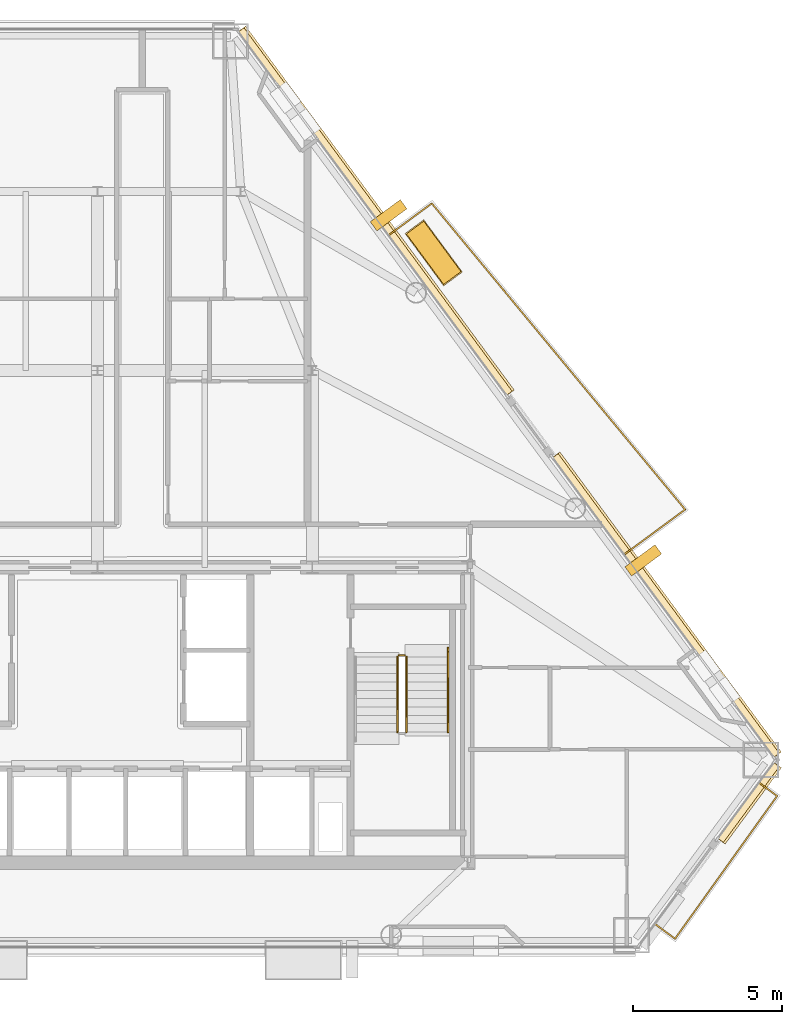
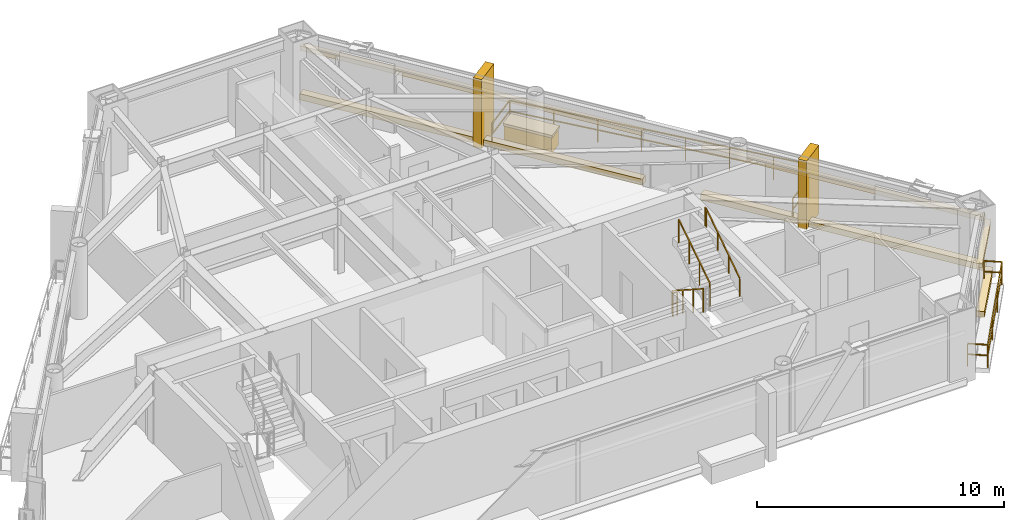
# One storey, part 11 of 11: 10 coverings, 6 railings.
"""IFC4 building model written with IfcOpenShell, lengths in metres."""

from ifc_helpers import new_model, si_unit, direction, frame, origin, origin_2d, place, context, subcontext, project, spatial, rectangle, extrude, material, layer, layer_set, type_object, element, save


model = new_model("IFC4")

# Units and contexts
model_context = context("Model", 3, precision=1e-05, world=origin(), true_north=direction((0.0, 1.0)))
body_context = subcontext(model_context, "Body", "Model", "MODEL_VIEW")
ifc_project = project(units=[si_unit("LENGTHUNIT", "METRE"), si_unit("AREAUNIT", "SQUARE_METRE"), si_unit("VOLUMEUNIT", "CUBIC_METRE"), si_unit("PLANEANGLEUNIT", "RADIAN"), si_unit("MASSUNIT", "GRAM", prefix="KILO")], contexts=[model_context])

# Site, building, storey
site_placement = place(None, origin())
site = spatial("IfcSite", under=ifc_project, at=site_placement, CompositionType="ELEMENT")
building_placement = place(site_placement, origin())
building = spatial("IfcBuilding", under=site, at=building_placement, Name="Talgorran Terracotta Tower", CompositionType="ELEMENT")
storey_placement = place(building_placement, frame((0.0, 0.0, 161.699951171875)))
storey = spatial("IfcBuildingStorey", under=building, at=storey_placement, Name="L42", CompositionType="ELEMENT", Elevation=161.699951171875)

# Coverings
ifc_material_1 = material(Name="Kiln-Fired Terracotta Ochre Ceramic", Category="masonry")
ifc_layer_1 = layer(ifc_material_1, 0.179931640625, Name="COV_BAGUETTE_TERRACOTTA_SCREEN")
ifc_layer_set_1 = layer_set([ifc_layer_1], Name="Kiln-Fired Terracotta Ochre Ceramic")
covering_type_1 = type_object("IfcCoveringType", Name="COV_BAGUETTE_TERRACOTTA_SCREEN", PredefinedType="CLADDING", material=ifc_layer_set_1)
covering_1_placement = place(storey_placement, frame((21.81005859375, -12.0712890625, 2.41015625), z_axis=(0.0, 0.0, 1.0), x_axis=(0.593784074712, 0.804624429544, 0.0)))
element("IfcCovering", 1, at=covering_1_placement, inside=storey, type_object=covering_type_1, Name="L42 Terracotta Baguette Solar Screen Assembly F31", PredefinedType="CLADDING", context=body_context, shape_type="SweptSolid", body=[
    extrude(rectangle(XDim=3.154052734375, YDim=0.260009765625, at=origin_2d()), origin(), (0.0, 0.0, 1.0), 0.219970703125),
])
covering_2_placement = place(storey_placement, frame((19.04150390625, -5.486328125, 2.41015625), z_axis=(0.0, 0.0, 1.0), x_axis=(-0.593784074712, 0.804624429544, 0.0)))
element("IfcCovering", 2, at=covering_2_placement, inside=storey, type_object=covering_type_1, Name="L42 Terracotta Baguette Solar Screen Assembly F40", PredefinedType="CLADDING", context=body_context, shape_type="SweptSolid", body=[
    extrude(rectangle(XDim=12.47900390625, YDim=0.260009765625, at=origin_2d()), origin(), (0.0, 0.0, 1.0), 0.219970703125),
])
covering_3_placement = place(storey_placement, frame((9.298828125, 7.7158203125, 2.41015625), z_axis=(0.0, 0.0, 1.0), x_axis=(-0.593784074712, 0.804624429544, 0.0)))
element("IfcCovering", 3, at=covering_3_placement, inside=storey, type_object=covering_type_1, Name="L42 Terracotta Baguette Solar Screen Assembly F41", PredefinedType="CLADDING", context=body_context, shape_type="SweptSolid", body=[
    extrude(rectangle(XDim=15.13671875, YDim=0.260009765625, at=origin_2d()), origin(), (0.0, 0.0, 1.0), 0.219970703125),
])
ifc_material_2 = material(Name="Honed Limestone and Terracotta Planter", Category="masonry")
ifc_layer_2 = layer(ifc_material_2, 0.1201171875, Name="COV_PLANTER_BOX")
ifc_layer_set_2 = layer_set([ifc_layer_2], Name="Honed Limestone and Terracotta Planter")
covering_type_2 = type_object("IfcCoveringType", Name="COV_PLANTER_BOX", PredefinedType="CLADDING", material=ifc_layer_set_2)
covering_4_placement = place(storey_placement, frame((11.26904296875, 6.342529296875, -0.02001953125), z_axis=(0.0, 0.0, 1.0), x_axis=(-0.593784074712, 0.804624429544, 0.0)))
element("IfcCovering", 4, at=covering_4_placement, inside=storey, type_object=covering_type_2, Name="L42 Staggered Balcony Planter Box BAL-NE", PredefinedType="CLADDING", context=body_context, shape_type="SweptSolid", body=[
    extrude(rectangle(XDim=2.10009765625, YDim=0.719970703125, at=origin_2d()), origin(), (0.0, 0.0, 1.0), 0.860107421875),
])
ifc_material_3 = material(Name="Kiln-Fired Terracotta Planter Rim", Category="masonry")
ifc_layer_3 = layer(ifc_material_3, 0.10009765625, Name="COV_PLANTER_RIM")
ifc_layer_set_3 = layer_set([ifc_layer_3], Name="Kiln-Fired Terracotta Planter Rim")
covering_type_3 = type_object("IfcCoveringType", Name="COV_PLANTER_RIM", PredefinedType="CLADDING", material=ifc_layer_set_3)
covering_5_placement = place(storey_placement, frame((11.26904296875, 6.342529296875, 0.800048828125), z_axis=(0.0, 0.0, 1.0), x_axis=(-0.593784074712, 0.804624429544, 0.0)))
element("IfcCovering", 5, at=covering_5_placement, inside=storey, type_object=covering_type_3, Name="L42 Balcony Planter Terracotta Rim BAL-NE", PredefinedType="CLADDING", context=body_context, shape_type="SweptSolid", body=[
    extrude(rectangle(XDim=2.179931640625, YDim=0.780029296875, at=origin_2d()), origin(), (0.0, 0.0, 1.0), 0.1201171875),
])
ifc_material_4 = material(Name="Honed Limestone Cladding", Category="masonry")
ifc_layer_4 = layer(ifc_material_4, 0.094970703125, Name="COV_PORTAL_LIME")
ifc_layer_set_4 = layer_set([ifc_layer_4], Name="Honed Limestone Cladding")
covering_type_4 = type_object("IfcCoveringType", Name="COV_PORTAL_LIME", PredefinedType="CLADDING", material=ifc_layer_set_4)
covering_6_placement = place(storey_placement, frame((21.842041015625, -12.09521484375, -0.0400390625), z_axis=(0.0, 0.0, 1.0), x_axis=(0.593784074712, 0.804624429544, 0.0)))
element("IfcCovering", 6, at=covering_6_placement, inside=storey, type_object=covering_type_4, Name="L42 Striped Postmodern Portal Cladding Band F31", PredefinedType="CLADDING", context=body_context, shape_type="SweptSolid", body=[
    extrude(rectangle(XDim=3.174072265625, YDim=0.340087890625, at=origin_2d()), origin(), (0.0, 0.0, 1.0), 0.300048828125),
])
covering_7_placement = place(storey_placement, frame((19.073486328125, -5.46240234375, -0.0400390625), z_axis=(0.0, 0.0, 1.0), x_axis=(-0.593784074712, 0.804624429544, 0.0)))
element("IfcCovering", 7, at=covering_7_placement, inside=storey, type_object=covering_type_4, Name="L42 Striped Postmodern Portal Cladding Band F40", PredefinedType="CLADDING", context=body_context, shape_type="SweptSolid", body=[
    extrude(rectangle(XDim=12.4990234375, YDim=0.340087890625, at=origin_2d()), origin(), (0.0, 0.0, 1.0), 0.300048828125),
])
covering_8_placement = place(storey_placement, frame((9.330810546875, 7.739501953125, -0.0400390625), z_axis=(0.0, 0.0, 1.0), x_axis=(-0.593784074712, 0.804624429544, 0.0)))
element("IfcCovering", 8, at=covering_8_placement, inside=storey, type_object=covering_type_4, Name="L42 Striped Postmodern Portal Cladding Band F41", PredefinedType="CLADDING", context=body_context, shape_type="SweptSolid", body=[
    extrude(rectangle(XDim=15.156494140625, YDim=0.340087890625, at=origin_2d()), origin(), (0.0, 0.0, 1.0), 0.300048828125),
])
covering_9_placement = place(storey_placement, frame((9.757568359375, 7.599365234375, -0.0498046875), z_axis=(0.0, 0.0, 1.0), x_axis=(-0.593784074712, 0.804624429544, 0.0)))
element("IfcCovering", 9, at=covering_9_placement, inside=storey, type_object=covering_type_4, Name="L42 White Striped Portal Fin F3-2", PredefinedType="CLADDING", context=body_context, shape_type="SweptSolid", body=[
    extrude(rectangle(XDim=0.3798828125, YDim=1.25, at=origin_2d()), origin(), (0.0, 0.0, 1.0), 3.39990234375),
])
ifc_material_5 = material(Name="Kiln-Fired Terracotta Cladding", Category="masonry")
ifc_layer_5 = layer(ifc_material_5, 0.090087890625, Name="COV_PORTAL_TERRA")
ifc_layer_set_5 = layer_set([ifc_layer_5], Name="Kiln-Fired Terracotta Cladding")
covering_type_5 = type_object("IfcCoveringType", Name="COV_PORTAL_TERRA", PredefinedType="CLADDING", material=ifc_layer_set_5)
covering_10_placement = place(storey_placement, frame((18.293212890625, -3.966796875, -0.0498046875), z_axis=(0.0, 0.0, 1.0), x_axis=(-0.593784074712, 0.804624429544, 0.0)))
element("IfcCovering", 10, at=covering_10_placement, inside=storey, type_object=covering_type_5, Name="L42 Terracotta Striped Portal Fin F3-1", PredefinedType="CLADDING", context=body_context, shape_type="SweptSolid", body=[
    extrude(rectangle(XDim=0.3798828125, YDim=1.25, at=origin_2d()), origin(), (0.0, 0.0, 1.0), 3.39990234375),
])

# Railings
ifc_material_6 = material(Name="Laminated Glass and Stainless Steel 316", Category="steel")
railing_type_1 = type_object("IfcRailingType", Name="RL_BALCONY_1150", PredefinedType="BALUSTRADE", material=ifc_material_6)
railing_1_placement = place(storey_placement, frame((17.66748046875, -3.759033203125, 0.0)))
element("IfcRailing", 11, at=railing_1_placement, inside=storey, type_object=railing_type_1, Name="RL-L42-BAL-BAL-NE", PredefinedType="BALUSTRADE", context=body_context, shape_type="SweptSolid", body=[
    extrude(rectangle(XDim=0.048095703125, YDim=0.048095703125, at=origin_2d()), frame((0.0, 0.0, 1.1259765625), z_axis=(0.80461263472, 0.5938000573, 0.0), x_axis=(-0.5938000573, 0.80461263472, 0.0)), (0.0, 0.0, 1.0), 2.521240234375),
    extrude(rectangle(XDim=0.048095703125, YDim=0.048095703125, at=origin_2d()), frame((0.0, 0.0, 0.597900390625), z_axis=(0.80461263472, 0.5938000573, 0.0), x_axis=(-0.5938000573, 0.80461263472, 0.0)), (0.0, 0.0, 1.0), 2.521240234375),
    extrude(rectangle(XDim=0.048095703125, YDim=0.048095703125, at=origin_2d()), frame((2.028564453125, 1.4970703125, 1.1259765625), z_axis=(-0.637604105574, 0.77036420254, 0.0), x_axis=(-0.77036420254, -0.637604105574, 0.0)), (0.0, 0.0, 1.0), 13.31787109375),
    extrude(rectangle(XDim=0.048095703125, YDim=0.048095703125, at=origin_2d()), frame((2.028564453125, 1.4970703125, 0.597900390625), z_axis=(-0.637604105574, 0.77036420254, 0.0), x_axis=(-0.77036420254, -0.637604105574, 0.0)), (0.0, 0.0, 1.0), 13.31787109375),
    extrude(rectangle(XDim=0.048095703125, YDim=0.048095703125, at=origin_2d()), frame((-6.462890625, 11.756591796875, 1.1259765625), z_axis=(-0.804631782985, -0.593774110088, 0.0), x_axis=(0.593774110088, -0.804631782985, 0.0)), (0.0, 0.0, 1.0), 1.78076171875),
    extrude(rectangle(XDim=0.048095703125, YDim=0.048095703125, at=origin_2d()), frame((-6.462890625, 11.756591796875, 0.597900390625), z_axis=(-0.804631782985, -0.593774110088, 0.0), x_axis=(0.593774110088, -0.804631782985, 0.0)), (0.0, 0.0, 1.0), 1.78076171875),
    extrude(rectangle(XDim=0.0419921875, YDim=0.0419921875, at=origin_2d()), origin(), (0.0, 0.0, 1.0), 1.101806640625),
    extrude(rectangle(XDim=0.0419921875, YDim=0.0419921875, at=origin_2d()), frame((1.01416015625, 0.74853515625, 0.0)), (0.0, 0.0, 1.0), 1.101806640625),
    extrude(rectangle(XDim=0.0419921875, YDim=0.0419921875, at=origin_2d()), frame((2.028564453125, 1.4970703125, 0.0)), (0.0, 0.0, 1.0), 1.101806640625),
    extrude(rectangle(XDim=0.0419921875, YDim=0.0419921875, at=origin_2d()), frame((0.8154296875, 2.962646484375, 0.0)), (0.0, 0.0, 1.0), 1.101806640625),
    extrude(rectangle(XDim=0.0419921875, YDim=0.0419921875, at=origin_2d()), frame((-0.3974609375, 4.428466796875, 0.0)), (0.0, 0.0, 1.0), 1.101806640625),
    extrude(rectangle(XDim=0.0419921875, YDim=0.0419921875, at=origin_2d()), frame((-1.610595703125, 5.89404296875, 0.0)), (0.0, 0.0, 1.0), 1.101806640625),
    extrude(rectangle(XDim=0.0419921875, YDim=0.0419921875, at=origin_2d()), frame((-2.82373046875, 7.359619140625, 0.0)), (0.0, 0.0, 1.0), 1.101806640625),
    extrude(rectangle(XDim=0.0419921875, YDim=0.0419921875, at=origin_2d()), frame((-4.036865234375, 8.8251953125, 0.0)), (0.0, 0.0, 1.0), 1.101806640625),
    extrude(rectangle(XDim=0.0419921875, YDim=0.0419921875, at=origin_2d()), frame((-5.249755859375, 10.291015625, 0.0)), (0.0, 0.0, 1.0), 1.101806640625),
    extrude(rectangle(XDim=0.0419921875, YDim=0.0419921875, at=origin_2d()), frame((-6.462890625, 11.756591796875, 0.0)), (0.0, 0.0, 1.0), 1.101806640625),
    extrude(rectangle(XDim=0.0419921875, YDim=0.0419921875, at=origin_2d()), frame((-7.895751953125, 10.69921875, 0.0)), (0.0, 0.0, 1.0), 1.101806640625),
])
railing_2_placement = place(storey_placement, frame((18.694091796875, -16.15869140625, 0.0)))
element("IfcRailing", 12, at=railing_2_placement, inside=storey, type_object=railing_type_1, Name="RL-L42-BAL-BAL-SE", PredefinedType="BALUSTRADE", context=body_context, shape_type="SweptSolid", body=[
    extrude(rectangle(XDim=0.048095703125, YDim=0.048095703125, at=origin_2d()), frame((0.0, 0.0, 1.1259765625), z_axis=(0.804668440832, -0.593724431306, 0.0), x_axis=(0.593724431306, 0.804668440832, 0.0)), (0.0, 0.0, 1.0), 0.823974609375),
    extrude(rectangle(XDim=0.048095703125, YDim=0.048095703125, at=origin_2d()), frame((0.0, 0.0, 0.597900390625), z_axis=(0.804668440832, -0.593724431306, 0.0), x_axis=(0.593724431306, 0.804668440832, 0.0)), (0.0, 0.0, 1.0), 0.823974609375),
    extrude(rectangle(XDim=0.048095703125, YDim=0.048095703125, at=origin_2d()), frame((0.6630859375, -0.4892578125, 1.1259765625), z_axis=(0.581619027021, 0.813461312791, 0.0), x_axis=(-0.813461312791, 0.581619027021, 0.0)), (0.0, 0.0, 1.0), 5.88134765625),
    extrude(rectangle(XDim=0.048095703125, YDim=0.048095703125, at=origin_2d()), frame((0.6630859375, -0.4892578125, 0.597900390625), z_axis=(0.581619027021, 0.813461312791, 0.0), x_axis=(-0.813461312791, 0.581619027021, 0.0)), (0.0, 0.0, 1.0), 5.88134765625),
    extrude(rectangle(XDim=0.048095703125, YDim=0.048095703125, at=origin_2d()), frame((4.083740234375, 4.294921875, 1.1259765625), z_axis=(-0.804596735462, 0.593821600553, 0.0), x_axis=(-0.593821600553, -0.804596735462, 0.0)), (0.0, 0.0, 1.0), 0.735595703125),
    extrude(rectangle(XDim=0.048095703125, YDim=0.048095703125, at=origin_2d()), frame((4.083740234375, 4.294921875, 0.597900390625), z_axis=(-0.804596735462, 0.593821600553, 0.0), x_axis=(-0.593821600553, -0.804596735462, 0.0)), (0.0, 0.0, 1.0), 0.735595703125),
    extrude(rectangle(XDim=0.0419921875, YDim=0.0419921875, at=origin_2d()), origin(), (0.0, 0.0, 1.0), 1.101806640625),
    extrude(rectangle(XDim=0.0419921875, YDim=0.0419921875, at=origin_2d()), frame((0.6630859375, -0.4892578125, 0.0)), (0.0, 0.0, 1.0), 1.101806640625),
    extrude(rectangle(XDim=0.0419921875, YDim=0.0419921875, at=origin_2d()), frame((1.80322265625, 1.10546875, 0.0)), (0.0, 0.0, 1.0), 1.101806640625),
    extrude(rectangle(XDim=0.0419921875, YDim=0.0419921875, at=origin_2d()), frame((2.943603515625, 2.7001953125, 0.0)), (0.0, 0.0, 1.0), 1.101806640625),
    extrude(rectangle(XDim=0.0419921875, YDim=0.0419921875, at=origin_2d()), frame((4.083740234375, 4.294921875, 0.0)), (0.0, 0.0, 1.0), 1.101806640625),
    extrude(rectangle(XDim=0.0419921875, YDim=0.0419921875, at=origin_2d()), frame((3.491943359375, 4.731689453125, 0.0)), (0.0, 0.0, 1.0), 1.101806640625),
])
ifc_material_7 = material(Name="Steel S355 (300PLUS)", Category="steel")
railing_type_2 = type_object("IfcRailingType", Name="RL_HANDRAIL_920", PredefinedType="HANDRAIL", material=ifc_material_7)
railing_3_placement = place(storey_placement, frame((11.75, -9.719970703125, 1.97998046875)))
element("IfcRailing", 13, at=railing_3_placement, inside=storey, type_object=railing_type_2, Name="L42 ST-02 stair handrail 2", PredefinedType="HANDRAIL", context=body_context, shape_type="SweptSolid", body=[
    extrude(rectangle(XDim=0.048095703125, YDim=0.048095703125, at=origin_2d()), frame((0.0, 0.0, 0.89599609375), z_axis=(0.0, 0.832038719335, 0.554717558338), x_axis=(-1.0, 0.0, 0.0)), (0.0, 0.0, 1.0), 3.244873046875),
    extrude(rectangle(XDim=0.048095703125, YDim=0.048095703125, at=origin_2d()), frame((0.0, 2.699951171875, 2.69580078125), z_axis=(0.0, 1.0, 0.0), x_axis=(-1.0, 0.0, 0.0)), (0.0, 0.0, 1.0), 0.1201171875),
    extrude(rectangle(XDim=0.0419921875, YDim=0.0419921875, at=origin_2d()), origin(), (0.0, 0.0, 1.0), 0.871826171875),
    extrude(rectangle(XDim=0.0419921875, YDim=0.0419921875, at=origin_2d()), frame((0.0, 0.89990234375, 0.60009765625)), (0.0, 0.0, 1.0), 0.871826171875),
    extrude(rectangle(XDim=0.0419921875, YDim=0.0419921875, at=origin_2d()), frame((0.0, 1.800048828125, 1.199951171875)), (0.0, 0.0, 1.0), 0.871826171875),
    extrude(rectangle(XDim=0.0419921875, YDim=0.0419921875, at=origin_2d()), frame((0.0, 2.699951171875, 1.800048828125)), (0.0, 0.0, 1.0), 0.871826171875),
    extrude(rectangle(XDim=0.0419921875, YDim=0.0419921875, at=origin_2d()), frame((0.0, 2.820068359375, 1.800048828125)), (0.0, 0.0, 1.0), 0.871826171875),
])
railing_type_3 = type_object("IfcRailingType", Name="RL_STAIR_GUARD", PredefinedType="GUARDRAIL", material=ifc_material_7)
railing_4_placement = place(storey_placement, frame((10.050048828125, -7.199951171875, 0.179931640625)))
element("IfcRailing", 14, at=railing_4_placement, inside=storey, type_object=railing_type_3, Name="L42 ST-02 stair guard 1", PredefinedType="GUARDRAIL", context=body_context, shape_type="SweptSolid", body=[
    extrude(rectangle(XDim=0.048095703125, YDim=0.048095703125, at=origin_2d()), frame((0.0, 0.0, 1.15576171875), z_axis=(0.0, -0.841162588446, 0.540782303519), x_axis=(1.0, 0.0, 0.0)), (0.0, 0.0, 1.0), 2.995849609375),
    extrude(rectangle(XDim=0.0419921875, YDim=0.0419921875, at=origin_2d()), origin(), (0.0, 0.0, 1.0), 1.1318359375),
    extrude(rectangle(XDim=0.0419921875, YDim=0.0419921875, at=origin_2d()), frame((0.0, -0.840087890625, 0.5400390625)), (0.0, 0.0, 1.0), 1.1318359375),
    extrude(rectangle(XDim=0.0419921875, YDim=0.0419921875, at=origin_2d()), frame((0.0, -1.679931640625, 1.080078125)), (0.0, 0.0, 1.0), 1.1318359375),
    extrude(rectangle(XDim=0.0419921875, YDim=0.0419921875, at=origin_2d()), frame((0.0, -2.52001953125, 1.6201171875)), (0.0, 0.0, 1.0), 1.1318359375),
])
railing_5_placement = place(storey_placement, frame((10.35009765625, -9.719970703125, 1.97998046875)))
element("IfcRailing", 15, at=railing_5_placement, inside=storey, type_object=railing_type_3, Name="L42 ST-02 stair guard 3", PredefinedType="GUARDRAIL", context=body_context, shape_type="SweptSolid", body=[
    extrude(rectangle(XDim=0.048095703125, YDim=0.048095703125, at=origin_2d()), frame((0.0, 0.0, 1.15576171875), z_axis=(0.0, 0.841162588446, 0.540782303519), x_axis=(-1.0, 0.0, 0.0)), (0.0, 0.0, 1.0), 2.995849609375),
    extrude(rectangle(XDim=0.0419921875, YDim=0.0419921875, at=origin_2d()), origin(), (0.0, 0.0, 1.0), 1.1318359375),
    extrude(rectangle(XDim=0.0419921875, YDim=0.0419921875, at=origin_2d()), frame((0.0, 0.840087890625, 0.5400390625)), (0.0, 0.0, 1.0), 1.1318359375),
    extrude(rectangle(XDim=0.0419921875, YDim=0.0419921875, at=origin_2d()), frame((0.0, 1.679931640625, 1.080078125)), (0.0, 0.0, 1.0), 1.1318359375),
    extrude(rectangle(XDim=0.0419921875, YDim=0.0419921875, at=origin_2d()), frame((0.0, 2.52001953125, 1.6201171875)), (0.0, 0.0, 1.0), 1.1318359375),
])
railing_6_placement = place(storey_placement, frame((10.10009765625, -7.14990234375, 0.0)))
element("IfcRailing", 16, at=railing_6_placement, inside=storey, type_object=railing_type_3, Name="L42 ST-02 stair guard 4", PredefinedType="GUARDRAIL", context=body_context, shape_type="SweptSolid", body=[
    extrude(rectangle(XDim=0.048095703125, YDim=0.048095703125, at=origin_2d()), frame((0.0, 0.0, 1.15576171875), z_axis=(1.0, 0.0, 0.0), x_axis=(0.0, 1.0, 0.0)), (0.0, 0.0, 1.0), 0.199951171875),
    extrude(rectangle(XDim=0.048095703125, YDim=0.048095703125, at=origin_2d()), frame((0.0, 0.0, 0.613525390625), z_axis=(1.0, 0.0, 0.0), x_axis=(0.0, 1.0, 0.0)), (0.0, 0.0, 1.0), 0.199951171875),
    extrude(rectangle(XDim=0.0419921875, YDim=0.0419921875, at=origin_2d()), origin(), (0.0, 0.0, 1.0), 1.1318359375),
    extrude(rectangle(XDim=0.0419921875, YDim=0.0419921875, at=origin_2d()), frame((0.199951171875, 0.0, 0.0)), (0.0, 0.0, 1.0), 1.1318359375),
])

save(model, "model.ifc")
